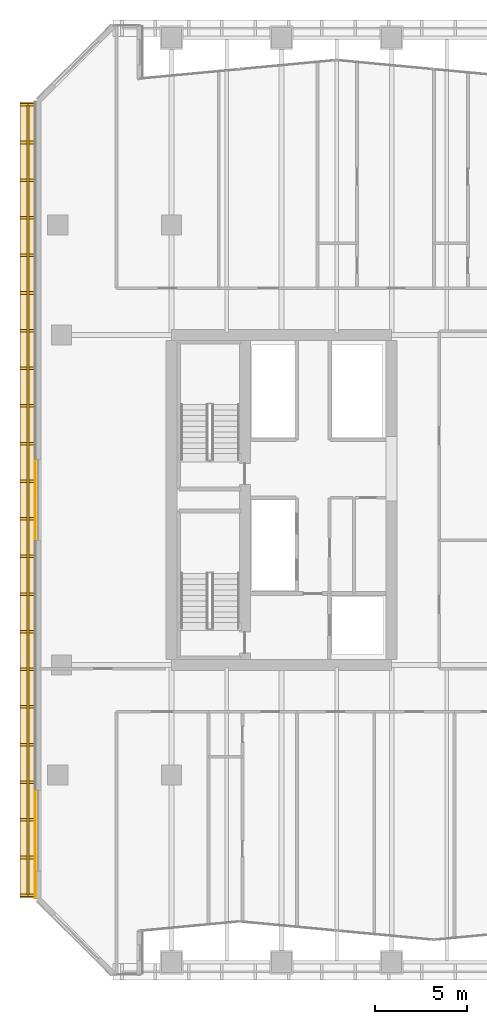
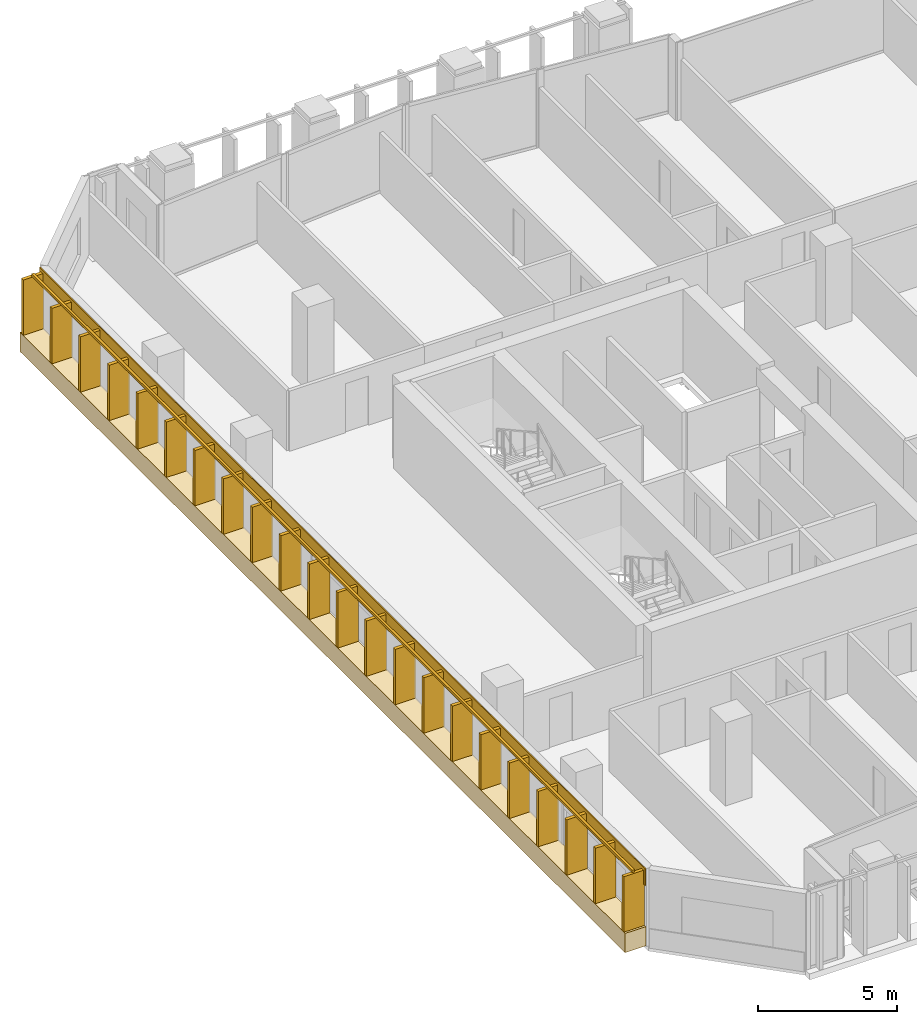
# One storey, part 28 of 32: 2 coverings, 1 railing.
"""IFC4 building model written with IfcOpenShell, lengths in metres."""

from ifc_helpers import new_model, si_unit, direction, frame, origin, origin_2d, place, context, subcontext, project, spatial, rectangle, extrude, material, layer, layer_set, type_object, element, save


model = new_model("IFC4")

# Units and contexts
model_context = context("Model", 3, precision=1e-05, world=origin(), true_north=direction((0.0, 1.0)))
body_context = subcontext(model_context, "Body", "Model", "MODEL_VIEW")
ifc_project = project(units=[si_unit("LENGTHUNIT", "METRE"), si_unit("AREAUNIT", "SQUARE_METRE"), si_unit("VOLUMEUNIT", "CUBIC_METRE"), si_unit("PLANEANGLEUNIT", "RADIAN"), si_unit("MASSUNIT", "GRAM", prefix="KILO")], contexts=[model_context])

# Site, building, storey
site_placement = place(None, origin())
site = spatial("IfcSite", under=ifc_project, at=site_placement, CompositionType="ELEMENT")
building_placement = place(site_placement, origin())
building = spatial("IfcBuilding", under=site, at=building_placement, Name="Tanjung Sevakor Pilgrim Tower", CompositionType="ELEMENT")
storey_placement = place(building_placement, frame((0.0, 0.0, 62.3701171875)))
storey = spatial("IfcBuildingStorey", under=building, at=storey_placement, Name="L17", CompositionType="ELEMENT", Elevation=62.3701171875)

# Coverings
ifc_material_1 = material(Name="Reconstructed Limestone Cladding", Category="masonry")
ifc_layer = layer(ifc_material_1, 0.044921875)
ifc_layer_set = layer_set([ifc_layer], Name="COV-CLAD-LIMESTONE")
covering_type = type_object("IfcCoveringType", Name="COV-CLAD-LIMESTONE", PredefinedType="CLADDING", material=ifc_layer_set)
covering_1_placement = place(storey_placement, frame((16.169921875, 33.60009765625, 0.009765625), z_axis=(0.0, 0.0, 1.0), x_axis=(0.0, -1.0, 0.0)))
element("IfcCovering", 1, at=covering_1_placement, inside=storey, type_object=covering_type, Name="L17 Warm Limestone Sill Spandrel EW-L17-MAIN-35-1", PredefinedType="CLADDING", context=body_context, shape_type="SweptSolid", body=[
    extrude(rectangle(XDim=43.404052734375, YDim=0.860107421875, at=origin_2d()), origin(), (0.0, 0.0, 1.0), 0.840087890625),
])
covering_2_placement = place(storey_placement, frame((16.577392578125, 33.60009765625, 2.65966796875), z_axis=(0.0, 0.0, 1.0), x_axis=(0.0, -1.0, 0.0)))
element("IfcCovering", 2, at=covering_2_placement, inside=storey, type_object=covering_type, Name="L17 Warm Limestone Cornice Spandrel EW-L17-MAIN-35", PredefinedType="CLADDING", context=body_context, shape_type="SweptSolid", body=[
    extrude(rectangle(XDim=43.444091796875, YDim=0.044921875, at=origin_2d()), origin(), (0.0, 0.0, 1.0), 0.739990234375),
])

# Railing
ifc_material_2 = material(Name="Anodised Bronze Aluminium 6063-T6", Category="aluminium")
railing_type = type_object("IfcRailingType", Name="RL-FIN-SCREEN", PredefinedType="BALUSTRADE", material=ifc_material_2)
railing_placement = place(storey_placement, frame((16.175048828125, 55.14208984375, 0.83984375)))
element("IfcRailing", 3, at=railing_placement, inside=storey, type_object=railing_type, Name="L17 Vertical Bronze-Gold Solar Fin Screen FNEND-EW-L17-MAIN-35-1", PredefinedType="BALUSTRADE", context=body_context, shape_type="SweptSolid", body=[
    extrude(rectangle(XDim=0.105, YDim=0.105), frame((0.0, 0.0, 2.487548828125), z_axis=(0.0, -1.0, 0.0), x_axis=(1.0, 0.0, 0.0)), (0.0, 0.0, 1.0), 43.083984375),
    extrude(rectangle(XDim=0.85, YDim=0.14), origin(), (0.0, 0.0, 1.0), 2.43505859375),
    extrude(rectangle(XDim=0.85, YDim=0.14), frame((0.0, -2.051513671875, 0.0)), (0.0, 0.0, 1.0), 2.43505859375),
    extrude(rectangle(XDim=0.85, YDim=0.14), frame((0.0, -4.103271484375, 0.0)), (0.0, 0.0, 1.0), 2.43505859375),
    extrude(rectangle(XDim=0.85, YDim=0.14), frame((0.0, -6.15478515625, 0.0)), (0.0, 0.0, 1.0), 2.43505859375),
    extrude(rectangle(XDim=0.85, YDim=0.14), frame((0.0, -8.20654296875, 0.0)), (0.0, 0.0, 1.0), 2.43505859375),
    extrude(rectangle(XDim=0.85, YDim=0.14), frame((0.0, -10.258056640625, 0.0)), (0.0, 0.0, 1.0), 2.43505859375),
    extrude(rectangle(XDim=0.85, YDim=0.14), frame((0.0, -12.309814453125, 0.0)), (0.0, 0.0, 1.0), 2.43505859375),
    extrude(rectangle(XDim=0.85, YDim=0.14), frame((0.0, -14.361328125, 0.0)), (0.0, 0.0, 1.0), 2.43505859375),
    extrude(rectangle(XDim=0.85, YDim=0.14), frame((0.0, -16.412841796875, 0.0)), (0.0, 0.0, 1.0), 2.43505859375),
    extrude(rectangle(XDim=0.85, YDim=0.14), frame((0.0, -18.464599609375, 0.0)), (0.0, 0.0, 1.0), 2.43505859375),
    extrude(rectangle(XDim=0.85, YDim=0.14), frame((0.0, -20.51611328125, 0.0)), (0.0, 0.0, 1.0), 2.43505859375),
    extrude(rectangle(XDim=0.85, YDim=0.14), frame((0.0, -22.56787109375, 0.0)), (0.0, 0.0, 1.0), 2.43505859375),
    extrude(rectangle(XDim=0.85, YDim=0.14), frame((0.0, -24.619384765625, 0.0)), (0.0, 0.0, 1.0), 2.43505859375),
    extrude(rectangle(XDim=0.85, YDim=0.14), frame((0.0, -26.671142578125, 0.0)), (0.0, 0.0, 1.0), 2.43505859375),
    extrude(rectangle(XDim=0.85, YDim=0.14), frame((0.0, -28.72265625, 0.0)), (0.0, 0.0, 1.0), 2.43505859375),
    extrude(rectangle(XDim=0.85, YDim=0.14), frame((0.0, -30.774169921875, 0.0)), (0.0, 0.0, 1.0), 2.43505859375),
    extrude(rectangle(XDim=0.85, YDim=0.14), frame((0.0, -32.825927734375, 0.0)), (0.0, 0.0, 1.0), 2.43505859375),
    extrude(rectangle(XDim=0.85, YDim=0.14), frame((0.0, -34.87744140625, 0.0)), (0.0, 0.0, 1.0), 2.43505859375),
    extrude(rectangle(XDim=0.85, YDim=0.14), frame((0.0, -36.92919921875, 0.0)), (0.0, 0.0, 1.0), 2.43505859375),
    extrude(rectangle(XDim=0.85, YDim=0.14), frame((0.0, -38.980712890625, 0.0)), (0.0, 0.0, 1.0), 2.43505859375),
    extrude(rectangle(XDim=0.85, YDim=0.14), frame((0.0, -41.032470703125, 0.0)), (0.0, 0.0, 1.0), 2.43505859375),
    extrude(rectangle(XDim=0.85, YDim=0.14), frame((0.0, -43.083984375, 0.0)), (0.0, 0.0, 1.0), 2.43505859375),
])

save(model, "model.ifc")
